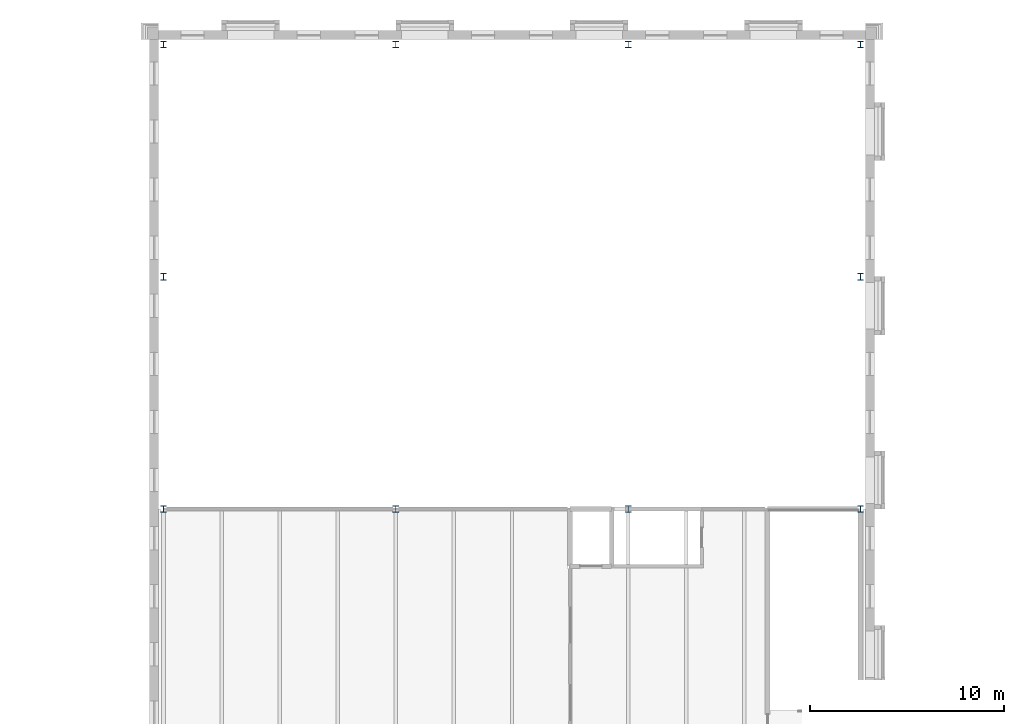
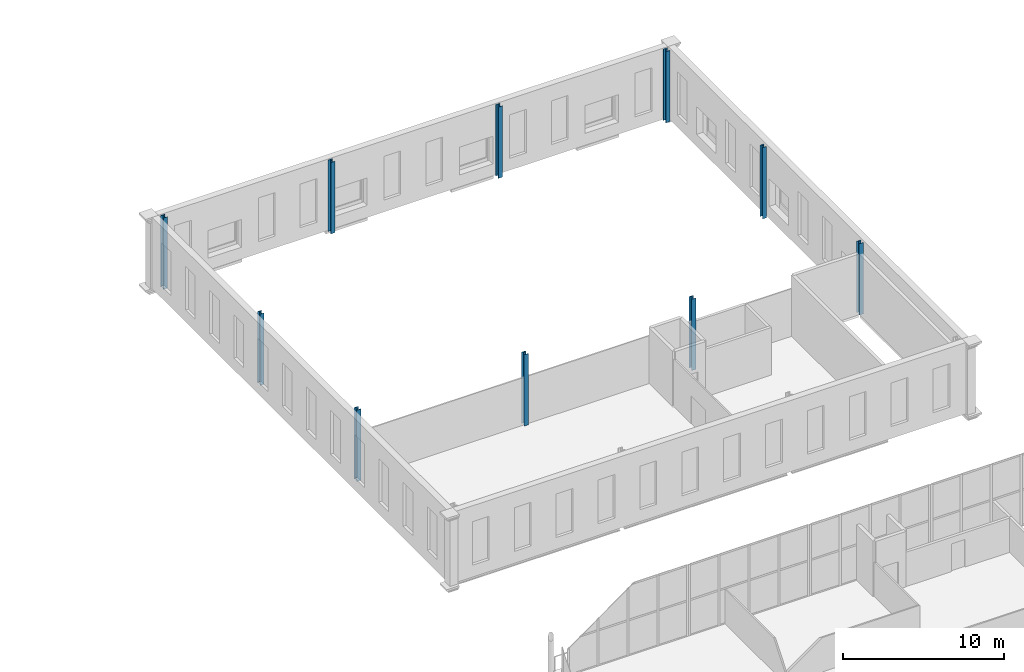
# One storey, part 30 of 170: 10 columns.
"""IFC4 building model written with IfcOpenShell, lengths in metres."""

import ifcopenshell
import ifcopenshell.guid

model = None  # the IFC model being written
_history = None  # IfcOwnerHistory: only IFC2X3 demands one
_inside = {}  # id of a spatial element -> (the spatial element, [elements in it])
_under = {}  # id of a project, library or spatial element -> (it, [spatial elements below it])
_declared = {}  # id of a project -> (the project, [libraries it declares])
_typed = {}  # id of a type object -> (the type object, [elements of that type])
_made_of = {}  # id of a material, layer set ... -> (it, [elements and type objects made of it])


def new_model(schema):
    """Start an empty IFC model of exactly this schema.

    Asked for "IFC4X3", IfcOpenShell would pick the latest addendum, in which some entities
    have other attributes; the version numbers below select the first issue.
    IFC2X3 requires an IfcOwnerHistory on every rooted entity: one is made here for all.
    """
    global model, _history
    if schema == "IFC4X3":
        model = ifcopenshell.file(schema_version=(4, 3, 0, 0))
    else:
        model = ifcopenshell.file(schema=schema)
    _inside.clear()
    _under.clear()
    _declared.clear()
    _typed.clear()
    _made_of.clear()
    _history = None
    if model.schema == "IFC2X3":
        org = make("IfcOrganization", Name="unknown")
        user = make(
            "IfcPersonAndOrganization",
            ThePerson=make("IfcPerson", FamilyName="unknown"),
            TheOrganization=org,
        )
        app = make(
            "IfcApplication",
            ApplicationDeveloper=org,
            Version="unknown",
            ApplicationFullName="unknown",
            ApplicationIdentifier="unknown",
        )
        _history = make(
            "IfcOwnerHistory",
            OwningUser=user,
            OwningApplication=app,
            ChangeAction="ADDED",
            CreationDate=0,
        )
    return model


def make(cls, **values):
    """One entity of the class cls with the attributes given. An attribute that is None is left unset."""
    return model.create_entity(
        cls, **{name: value for name, value in values.items() if value is not None}
    )


def rooted(cls, **values):
    """An entity with a GlobalId (a new one), such as an element, a storey or a relation."""
    return make(cls, GlobalId=ifcopenshell.guid.new(), OwnerHistory=_history, **values)


def si_unit(unit_type, name, prefix=None):
    """IfcSIUnit, for example si_unit("LENGTHUNIT", "METRE", prefix="MILLI")."""
    return make("IfcSIUnit", UnitType=unit_type, Prefix=prefix, Name=name)


def assignment(units):
    """IfcUnitAssignment: the units of a project."""
    return None if units is None else make("IfcUnitAssignment", Units=units)


def point(xyz):
    """IfcCartesianPoint."""
    return None if xyz is None else make("IfcCartesianPoint", Coordinates=xyz)


def direction(xyz):
    """IfcDirection."""
    return None if xyz is None else make("IfcDirection", DirectionRatios=xyz)


def frame(location, z_axis=None, x_axis=None):
    """IfcAxis2Placement3D, a coordinate frame: its origin and axes. An axis left out is left unset."""
    return make(
        "IfcAxis2Placement3D",
        Location=point(location),
        Axis=direction(z_axis),
        RefDirection=direction(x_axis),
    )


def frame_2d(location, x_axis=None):
    """IfcAxis2Placement2D, a coordinate frame in the plane: its origin and x axis."""
    return make(
        "IfcAxis2Placement2D", Location=point(location), RefDirection=direction(x_axis)
    )


def origin():
    """The frame at (0, 0, 0) with its axes left unset."""
    return frame((0.0, 0.0, 0.0))


def origin_2d():
    """The frame at (0, 0) in the plane with its x axis left unset."""
    return frame_2d((0.0, 0.0))


def place(relative_to, where):
    """IfcLocalPlacement: puts the frame where relative to a parent placement (None: the world)."""
    return make(
        "IfcLocalPlacement", PlacementRelTo=relative_to, RelativePlacement=where
    )


def context(
    kind, dimensions, precision=None, world=None, true_north=None, identifier=None
):
    """IfcGeometricRepresentationContext, for example the 3D "Model" context."""
    return make(
        "IfcGeometricRepresentationContext",
        ContextIdentifier=identifier,
        ContextType=kind,
        CoordinateSpaceDimension=dimensions,
        Precision=precision,
        WorldCoordinateSystem=world,
        TrueNorth=true_north,
    )


def subcontext(parent, identifier, kind, view, scale=None):
    """IfcGeometricRepresentationSubContext, for example "Body" below "Model"."""
    return make(
        "IfcGeometricRepresentationSubContext",
        ContextIdentifier=identifier,
        ContextType=kind,
        ParentContext=parent,
        TargetScale=scale,
        TargetView=view,
    )


def project(units=None, contexts=None):
    """IfcProject with its units and contexts."""
    return rooted(
        "IfcProject",
        Name="project",
        RepresentationContexts=contexts,
        UnitsInContext=assignment(units),
    )


def spatial(cls, under=None, at=None, **own):
    """A site, building, storey or space (cls), placed at a placement, below another one or the project."""
    s = rooted(cls, ObjectPlacement=at, **own)
    if under is not None:
        _under.setdefault(under.id(), (under, []))[1].append(s)
    return s


def profile(cls, at=None, kind="AREA", **sizes):
    """A parametric profile (cls). Its sizes go by their IFC names, for example OverallWidth=200.0."""
    return make(cls, ProfileType=kind, Position=at, **sizes)


def i_section(**sizes):
    """IfcIShapeProfileDef."""
    return profile("IfcIShapeProfileDef", **sizes)


def extrude(swept, where, along, depth):
    """IfcExtrudedAreaSolid: the profile swept, set in the frame where, extruded along a direction by depth."""
    return make(
        "IfcExtrudedAreaSolid",
        SweptArea=swept,
        Position=where,
        ExtrudedDirection=direction(along),
        Depth=depth,
    )


def shape(context_of_items, identifier, shape_type, items):
    """IfcShapeRepresentation: the items that make up one representation, for example the "Body"."""
    return make(
        "IfcShapeRepresentation",
        ContextOfItems=context_of_items,
        RepresentationIdentifier=identifier,
        RepresentationType=shape_type,
        Items=items,
    )


def material(Name=None, Category=None):
    """IfcMaterial."""
    return make("IfcMaterial", Name=Name, Category=Category)


def material_profile(
    of_material, cross_section, Name=None, Category=None, Priority=None
):
    """IfcMaterialProfile: a cross section and its material."""
    return make(
        "IfcMaterialProfile",
        Name=Name,
        Material=of_material,
        Profile=cross_section,
        Priority=Priority,
        Category=Category,
    )


def profile_set(profiles, Name=None, composite=None):
    """IfcMaterialProfileSet."""
    return make(
        "IfcMaterialProfileSet",
        Name=Name,
        MaterialProfiles=profiles,
        CompositeProfile=composite,
    )


def made_of(thing, what):
    """Note that an element or type object is made of a material, layer set ...; save() writes the relation."""
    if what is not None:
        _made_of.setdefault(what.id(), (what, []))[1].append(thing)
    return thing


def type_object(cls, material=None, **own):
    """A type object (cls), such as IfcWallType, which elements share."""
    return made_of(rooted(cls, **own), material)


def element(
    cls,
    number,
    at=None,
    inside=None,
    cuts=None,
    type_object=None,
    material=None,
    context=None,
    identifier="Body",
    shape_type=None,
    held_by="IfcProductDefinitionShape",
    body=None,
    shapes=None,
    **own,
):
    """One element of the class cls, such as IfcWall. Its Tag is "e" and its number.

    at: its placement. inside: the storey or other place that contains it. cuts: it is an
    opening in that element (IfcRelVoidsElement). A single representation is given by context,
    identifier, shape_type and body (its items); several are given by shapes. held_by: the class
    of the entity that holds the representations. save() writes the other relations.
    """
    e = rooted(cls, Tag="e%d" % number, ObjectPlacement=at, **own)
    if body is not None:
        shapes = [shape(context, identifier, shape_type, body)]
    if shapes is not None:
        e.Representation = make(held_by, Representations=shapes)
    if inside is not None:
        _inside.setdefault(inside.id(), (inside, []))[1].append(e)
    if cuts is not None:
        rooted(
            "IfcRelVoidsElement", RelatingBuildingElement=cuts, RelatedOpeningElement=e
        )
    if type_object is not None:
        _typed.setdefault(type_object.id(), (type_object, []))[1].append(e)
    return made_of(e, material)


def aggregate(whole, parts):
    """IfcRelAggregates: a whole, such as a stair, and the parts it consists of."""
    return rooted("IfcRelAggregates", RelatingObject=whole, RelatedObjects=parts)


def save(model, path):
    """Write the relations noted so far, then the file.

    IfcRelAggregates (storeys below a building ...), IfcRelContainedInSpatialStructure (elements
    in a storey), IfcRelDefinesByType, IfcRelAssociatesMaterial and IfcRelDeclares: one each for
    every whole, place, type object, material and project.
    """
    for whole, parts in _under.values():
        aggregate(whole, parts)
    for where, things in _inside.values():
        rooted(
            "IfcRelContainedInSpatialStructure",
            RelatedElements=things,
            RelatingStructure=where,
        )
    for kind, things in _typed.values():
        rooted("IfcRelDefinesByType", RelatedObjects=things, RelatingType=kind)
    for what, things in _made_of.values():
        rooted("IfcRelAssociatesMaterial", RelatedObjects=things, RelatingMaterial=what)
    for by, libraries in _declared.values():
        rooted("IfcRelDeclares", RelatingContext=by, RelatedDefinitions=libraries)
    model.write(path)


model = new_model("IFC4")

# Units and contexts
model_context = context("Model", 3, precision=1e-05, world=origin(), true_north=direction((0.0, 1.0)))
body_context = subcontext(model_context, "Body", "Model", "MODEL_VIEW")
ifc_project = project(units=[si_unit("LENGTHUNIT", "METRE"), si_unit("AREAUNIT", "SQUARE_METRE"), si_unit("VOLUMEUNIT", "CUBIC_METRE"), si_unit("PLANEANGLEUNIT", "RADIAN"), si_unit("MASSUNIT", "GRAM", prefix="KILO")], contexts=[model_context])

# Site, building, storey
site_placement = place(None, origin())
site = spatial("IfcSite", under=ifc_project, at=site_placement, CompositionType="ELEMENT")
building_placement = place(site_placement, origin())
building = spatial("IfcBuilding", under=site, at=building_placement, Name="Ravi Spectrum Wholesale Market", CompositionType="ELEMENT")
storey_placement = place(building_placement, frame((0.0, 0.0, 5.39990234375)))
storey = spatial("IfcBuildingStorey", under=building, at=storey_placement, Name="L01", CompositionType="ELEMENT", Elevation=5.39990234375)

# Columns
ifc_material = material(Name="Steel S355", Category="steel")
ifc_material_profile = material_profile(ifc_material, i_section(OverallWidth=0.300048828125, OverallDepth=0.340087890625, WebThickness=0.011962890625, FlangeThickness=0.021484375, at=origin_2d()))
ifc_profile_set = profile_set([ifc_material_profile], Name="Steel S355")
column_type = type_object("IfcColumnType", Name="HEB 340 column", PredefinedType="COLUMN", material=ifc_profile_set)
for number, where, z_axis, x_axis, name in (
    (1, (162.0, 210.0, 0.0), (0.0, 0.0, 1.0), (1.0, 0.0, 0.0), "AU-COL-L01-002"),
    (2, (162.0, 222.0, 0.0), (0.0, 0.0, 1.0), (1.0, 0.0, 0.0), "AU-COL-L01-003"),
    (3, (162.0, 234.0, 0.0), (0.0, 0.0, 1.0), (1.0, 0.0, 0.0), "AU-COL-L01-004"),
    (4, (174.0, 210.0, 0.0), (0.0, 0.0, 1.0), (1.0, 0.0, 0.0), "AU-COL-L01-006"),
    (5, (174.0, 234.0, 0.0), (0.0, 0.0, 1.0), (1.0, 0.0, 0.0), "AU-COL-L01-007"),
    (6, (186.0, 210.0, 0.0), (0.0, 0.0, 1.0), (1.0, 0.0, 0.0), "AU-COL-L01-009"),
    (7, (186.0, 234.0, 0.0), (0.0, 0.0, 1.0), (1.0, 0.0, 0.0), "AU-COL-L01-010"),
    (8, (198.0, 210.0, 0.0), (0.0, 0.0, 1.0), (1.0, 0.0, 0.0), "AU-COL-L01-012"),
    (9, (198.0, 222.0, 0.0), (0.0, 0.0, 1.0), (1.0, 0.0, 0.0), "AU-COL-L01-013"),
    (10, (198.0, 234.0, 0.0), (0.0, 0.0, 1.0), (1.0, 0.0, 0.0), "AU-COL-L01-014"),
):
    element("IfcColumn", number, at=place(storey_placement, frame(where, z_axis=z_axis, x_axis=x_axis)), inside=storey, type_object=column_type, Name=name, PredefinedType="COLUMN", context=body_context, shape_type="SweptSolid", body=[
        extrude(i_section(OverallWidth=0.300048828125, OverallDepth=0.340087890625, WebThickness=0.011962890625, FlangeThickness=0.021484375, at=origin_2d()), origin(), (0.0, 0.0, 1.0), 5.400146484375),
    ])

save(model, "model.ifc")
